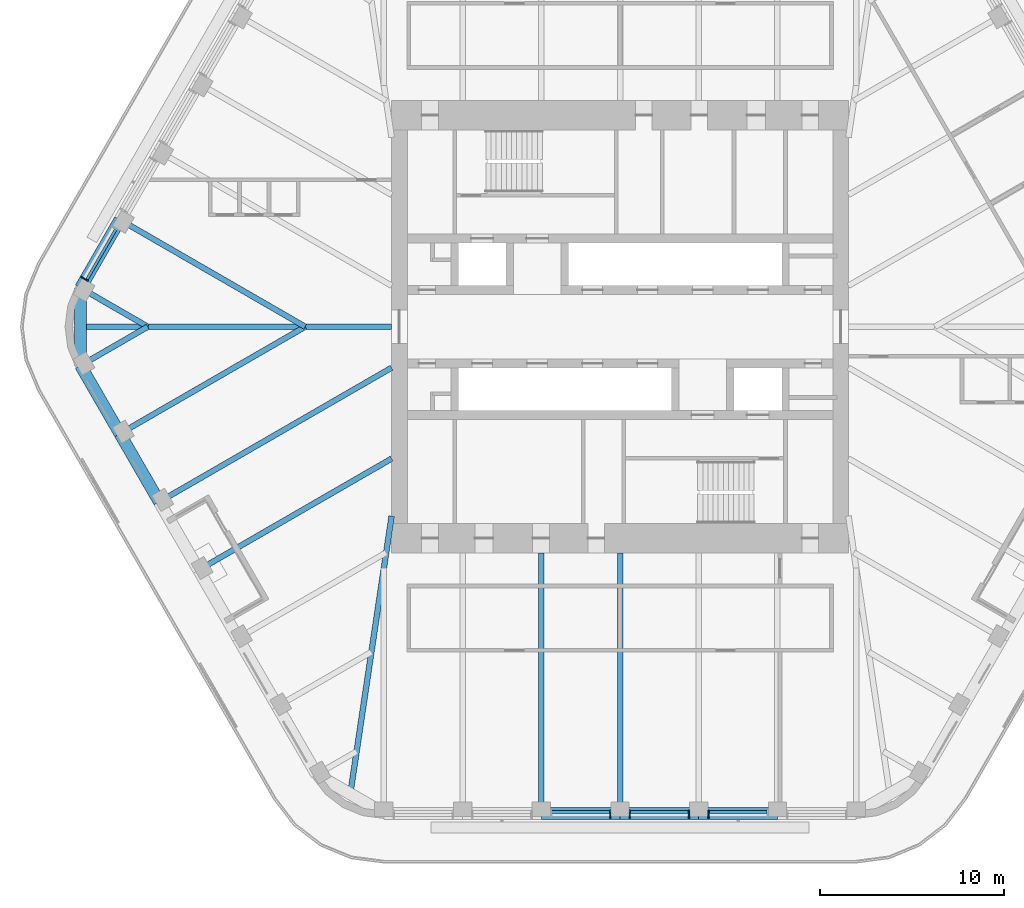
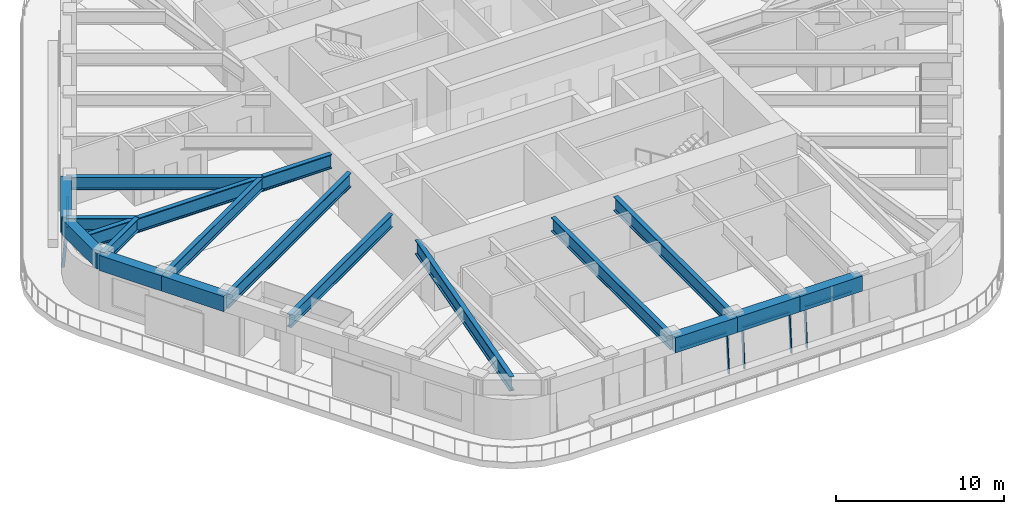
# One storey, part 3 of 19: 17 beams, 9 members, 4 elements without a shape of their own.
"""IFC4 building model written with IfcOpenShell, lengths in metres."""

from ifc_helpers import new_model, si_unit, direction, frame, origin, origin_2d, place, context, subcontext, project, spatial, rectangle, i_section, extrude, material, material_profile, profile_set, type_object, element, aggregate, save


model = new_model("IFC4")

# Units and contexts
model_context = context("Model", 3, precision=1e-05, world=origin(), true_north=direction((0.0, 1.0)))
body_context = subcontext(model_context, "Body", "Model", "MODEL_VIEW")
ifc_project = project(units=[si_unit("LENGTHUNIT", "METRE"), si_unit("AREAUNIT", "SQUARE_METRE"), si_unit("VOLUMEUNIT", "CUBIC_METRE"), si_unit("PLANEANGLEUNIT", "RADIAN"), si_unit("MASSUNIT", "GRAM", prefix="KILO")], contexts=[model_context])

# Site, building, storey
site_placement = place(None, origin())
site = spatial("IfcSite", under=ifc_project, at=site_placement, CompositionType="ELEMENT")
building_placement = place(site_placement, origin())
building = spatial("IfcBuilding", under=site, at=building_placement, Name="Tarfa Lantern Tower", CompositionType="ELEMENT")
storey_placement = place(building_placement, frame((0.0, 0.0, 345.10009765625)))
storey = spatial("IfcBuildingStorey", under=building, at=storey_placement, Name="L78", CompositionType="ELEMENT", Elevation=345.10009765625)

# Curtain wall, member
ifc_material_1 = material(Name="Aluminium framed curtain wall", Category="aluminium")
curtain_wall_type = type_object("IfcCurtainWallType", Name="CW4 CANTED GLAZING EXECUTIVE ZONE 2900", PredefinedType="USERDEFINED", material=ifc_material_1)
curtain_wall_1_placement = place(storey_placement, origin())
curtain_wall_1 = element("IfcCurtainWall", 1, at=curtain_wall_1_placement, inside=storey, type_object=curtain_wall_type, Name="CW4 NW L78", ObjectType="CURTAIN WALL", PredefinedType="USERDEFINED")
ifc_material_2 = material(Name="Aluminium mullion", Category="aluminium")
ifc_material_profile_1 = material_profile(ifc_material_2, rectangle(XDim=0.06494140625, YDim=0.199951171875, at=origin_2d()), Name="AL MULLION 65x200")
ifc_profile_set_1 = profile_set([ifc_material_profile_1], Name="Aluminium mullion")
member_type_1 = type_object("IfcMemberType", Name="CWM1 MULLION 65x200", PredefinedType="MULLION", material=ifc_profile_set_1)
member_1_placement = place(storey_placement, frame((-29.236328125, 2.6611328125, 0.0), z_axis=(0.074399820079, -0.042945555672, 0.996303340364), x_axis=(0.499919672301, 0.866071776036, 0.0)))
member_1 = element("IfcMember", 2, at=member_1_placement, type_object=member_type_1, Name="CW4 mullion 2", PredefinedType="MULLION", context=body_context, shape_type="SweptSolid", body=[
    extrude(rectangle(XDim=0.06494140625, YDim=0.199951171875, at=origin_2d()), origin(), (0.0, 0.0, 1.0), 2.91064453125),
])

curtain_wall_2_placement = place(storey_placement, origin())
curtain_wall_2 = element("IfcCurtainWall", 3, at=curtain_wall_2_placement, inside=storey, type_object=curtain_wall_type, Name="CW4 S L78", ObjectType="CURTAIN WALL", PredefinedType="USERDEFINED")
member_2_placement = place(storey_placement, frame((-0.532470703125, -26.64990234375, 0.0), z_axis=(0.0, 0.085891213166, 0.99630452147), x_axis=(-1.0, 0.0, 0.0)))
member_2 = element("IfcMember", 4, at=member_2_placement, type_object=member_type_1, Name="CW4 mullion 2", PredefinedType="MULLION", context=body_context, shape_type="SweptSolid", body=[
    extrude(rectangle(XDim=0.06494140625, YDim=0.199951171875, at=origin_2d()), origin(), (0.0, 0.0, 1.0), 2.91064453125),
])

# Curtain wall, members
curtain_wall_3_placement = place(storey_placement, origin())
curtain_wall_3 = element("IfcCurtainWall", 5, at=curtain_wall_3_placement, inside=storey, type_object=curtain_wall_type, Name="CW4 S L78", ObjectType="CURTAIN WALL", PredefinedType="USERDEFINED")
member_3_placement = place(storey_placement, frame((0.532470703125, -26.64990234375, 0.0), z_axis=(0.0, 0.085891213166, 0.99630452147), x_axis=(-1.0, 0.0, 0.0)))
member_3 = element("IfcMember", 6, at=member_3_placement, type_object=member_type_1, Name="CW4 mullion 1", PredefinedType="MULLION", context=body_context, shape_type="SweptSolid", body=[
    extrude(rectangle(XDim=0.06494140625, YDim=0.199951171875, at=origin_2d()), origin(), (0.0, 0.0, 1.0), 2.91064453125),
])
member_4_placement = place(storey_placement, frame((3.74951171875, -26.64990234375, 0.0), z_axis=(0.0, 0.085891213166, 0.99630452147), x_axis=(-1.0, 0.0, 0.0)))
member_4 = element("IfcMember", 7, at=member_4_placement, type_object=member_type_1, Name="CW4 mullion 2", PredefinedType="MULLION", context=body_context, shape_type="SweptSolid", body=[
    extrude(rectangle(XDim=0.06494140625, YDim=0.199951171875, at=origin_2d()), origin(), (0.0, 0.0, 1.0), 2.91064453125),
])

# Curtain wall, member
curtain_wall_4_placement = place(storey_placement, origin())
curtain_wall_4 = element("IfcCurtainWall", 8, at=curtain_wall_4_placement, inside=storey, type_object=curtain_wall_type, Name="CW4 S L78", ObjectType="CURTAIN WALL", PredefinedType="USERDEFINED")
member_5_placement = place(storey_placement, frame((4.814453125, -26.64990234375, 0.0), z_axis=(0.0, 0.085891213166, 0.99630452147), x_axis=(-1.0, 0.0, 0.0)))
member_5 = element("IfcMember", 9, at=member_5_placement, type_object=member_type_1, Name="CW4 mullion 1", PredefinedType="MULLION", context=body_context, shape_type="SweptSolid", body=[
    extrude(rectangle(XDim=0.06494140625, YDim=0.199951171875, at=origin_2d()), origin(), (0.0, 0.0, 1.0), 2.91064453125),
])

# Member
ifc_material_3 = material(Name="Aluminium transom", Category="aluminium")
ifc_material_profile_2 = material_profile(ifc_material_3, rectangle(XDim=0.14990234375, YDim=0.06494140625, at=origin_2d()), Name="AL TRANSOM 150x65")
ifc_profile_set_2 = profile_set([ifc_material_profile_2], Name="Aluminium transom")
member_type_2 = type_object("IfcMemberType", Name="CWT1 TRANSOM 150x65", PredefinedType="USERDEFINED", material=ifc_profile_set_2)
member_6_placement = place(storey_placement, frame((-27.429931640625, 5.29541015625, 2.867431640625), z_axis=(-0.500037562771, -0.866003715822, 0.0), x_axis=(0.866003715822, -0.500037562771, 0.0)))
member_6 = element("IfcMember", 10, at=member_6_placement, type_object=member_type_2, Name="CW4 transom 1.2", ObjectType="TRANSOM", PredefinedType="USERDEFINED", context=body_context, shape_type="SweptSolid", body=[
    extrude(rectangle(XDim=0.14990234375, YDim=0.06494140625, at=origin_2d()), origin(), (0.0, 0.0, 1.0), 3.152099609375),
])

aggregate(curtain_wall_1, [member_1, member_6])

member_7_placement = place(storey_placement, frame((-3.717041015625, -26.40283203125, 2.867431640625), z_axis=(1.0, 0.0, 0.0), x_axis=(0.0, 1.0, 0.0)))
member_7 = element("IfcMember", 11, at=member_7_placement, type_object=member_type_2, Name="CW4 transom 1.2", ObjectType="TRANSOM", PredefinedType="USERDEFINED", context=body_context, shape_type="SweptSolid", body=[
    extrude(rectangle(XDim=0.14990234375, YDim=0.06494140625, at=origin_2d()), origin(), (0.0, 0.0, 1.0), 3.152099609375),
])

aggregate(curtain_wall_2, [member_2, member_7])

member_8_placement = place(storey_placement, frame((0.56494140625, -26.40283203125, 2.867431640625), z_axis=(1.0, 0.0, 0.0), x_axis=(0.0, 1.0, 0.0)))
member_8 = element("IfcMember", 12, at=member_8_placement, type_object=member_type_2, Name="CW4 transom 1.2", ObjectType="TRANSOM", PredefinedType="USERDEFINED", context=body_context, shape_type="SweptSolid", body=[
    extrude(rectangle(XDim=0.14990234375, YDim=0.06494140625, at=origin_2d()), origin(), (0.0, 0.0, 1.0), 3.152099609375),
])

aggregate(curtain_wall_3, [member_3, member_4, member_8])

member_9_placement = place(storey_placement, frame((4.846923828125, -26.40283203125, 2.867431640625), z_axis=(1.0, 0.0, 0.0), x_axis=(0.0, 1.0, 0.0)))
member_9 = element("IfcMember", 13, at=member_9_placement, type_object=member_type_2, Name="CW4 transom 1.2", ObjectType="TRANSOM", PredefinedType="USERDEFINED", context=body_context, shape_type="SweptSolid", body=[
    extrude(rectangle(XDim=0.14990234375, YDim=0.06494140625, at=origin_2d()), origin(), (0.0, 0.0, 1.0), 3.152099609375),
])

aggregate(curtain_wall_4, [member_5, member_9])

# Beams
ifc_material_4 = material(Name="Concrete C80/95", Category="concrete")
ifc_material_profile_3 = material_profile(ifc_material_4, rectangle(XDim=0.64990234375, YDim=1.10009765625, at=origin_2d()), Name="RC 650x1100")
ifc_profile_set_3 = profile_set([ifc_material_profile_3], Name="Concrete C80/95")
beam_type_1 = type_object("IfcBeamType", Name="EB4 RC 650x1100", PredefinedType="SPANDREL", material=ifc_profile_set_3)
beam_1_placement = place(storey_placement, frame((-27.205810546875, 5.818359375, 3.449951171875), z_axis=(-0.499984039138, -0.866034618596, 0.0), x_axis=(0.866034618596, -0.499984039138, 0.0)))
element("IfcBeam", 14, at=beam_1_placement, inside=storey, type_object=beam_type_1, Name="Edge beam NW5", PredefinedType="SPANDREL", context=body_context, shape_type="SweptSolid", body=[
    extrude(rectangle(XDim=0.64990234375, YDim=1.10009765625, at=origin_2d()), origin(), (0.0, 0.0, 1.0), 4.281982421875),
])
beam_2_placement = place(storey_placement, frame((-29.3466796875, 2.110107421875, 3.449951171875), z_axis=(0.0, -1.0, 0.0), x_axis=(1.0, 0.0, 0.0)))
element("IfcBeam", 15, at=beam_2_placement, inside=storey, type_object=beam_type_1, Name="Edge beam NW6", PredefinedType="SPANDREL", context=body_context, shape_type="SweptSolid", body=[
    extrude(rectangle(XDim=0.64990234375, YDim=1.10009765625, at=origin_2d()), origin(), (0.0, 0.0, 1.0), 4.22021484375),
])
for number, where, z_axis, x_axis, name in (
    (16, (-29.3466796875, -2.110107421875, 3.449951171875), (0.499984039138, -0.866034618596, 0.0), (0.866034618596, 0.499984039138, 0.0), "Edge beam SW0"),
    (17, (-27.205810546875, -5.818359375, 3.449951171875), (0.500026801138, -0.866009929587, 0.0), (0.866009929587, 0.500026801138, 0.0), "Edge beam SW1"),
    (18, (-4.281982421875, -26.469970703125, 3.449951171875), (1.0, 0.0, 0.0), (0.0, 1.0, 0.0), "Edge beam S2"),
    (19, (0.0, -26.469970703125, 3.449951171875), (1.0, 0.0, 0.0), (0.0, 1.0, 0.0), "Edge beam S3"),
    (20, (4.281982421875, -26.469970703125, 3.449951171875), (1.0, 0.0, 0.0), (0.0, 1.0, 0.0), "Edge beam S4"),
):
    element("IfcBeam", number, at=place(storey_placement, frame(where, z_axis=z_axis, x_axis=x_axis)), inside=storey, type_object=beam_type_1, Name=name, PredefinedType="SPANDREL", context=body_context, shape_type="SweptSolid", body=[
        extrude(rectangle(XDim=0.64990234375, YDim=1.10009765625, at=origin_2d()), origin(), (0.0, 0.0, 1.0), 4.281982421875),
    ])
ifc_material_5 = material(Name="Steel S460M", Category="steel")
ifc_material_profile_4 = material_profile(ifc_material_5, i_section(OverallWidth=0.302001953125, OverallDepth=1.008056640625, WebThickness=0.02099609375, FlangeThickness=0.0400390625, FilletRadius=0.030029296875, at=origin_2d()), Name="UB1016x305x349")
ifc_profile_set_4 = profile_set([ifc_material_profile_4], Name="Steel S460M")
beam_type_2 = type_object("IfcBeamType", Name="UB1016x305x349", PredefinedType="BEAM", material=ifc_profile_set_4)
beam_3_placement = place(storey_placement, frame((-25.064697265625, -9.526611328125, 3.495849609375), z_axis=(0.866029591389, 0.499992746786, 0.0), x_axis=(-0.499992746786, 0.866029591389, 0.0)))
element("IfcBeam", 21, at=beam_3_placement, inside=storey, type_object=beam_type_2, Name="Floor beam SW2", PredefinedType="BEAM", context=body_context, shape_type="SweptSolid", body=[
    extrude(i_section(OverallWidth=0.302001953125, OverallDepth=1.008056640625, WebThickness=0.02099609375, FlangeThickness=0.0400390625, FilletRadius=0.030029296875, at=origin_2d()), origin(), (0.0, 0.0, 1.0), 14.594970703125),
])
for number, where, z_axis, x_axis, name in (
    (22, (-4.281982421875, -26.469970703125, 3.495849609375), (0.0, 1.0, 0.0), (-1.0, 0.0, 0.0), "Floor beam S2"),
    (23, (0.0, -26.469970703125, 3.495849609375), (0.0, 1.0, 0.0), (-1.0, 0.0, 0.0), "Floor beam S3"),
):
    element("IfcBeam", number, at=place(storey_placement, frame(where, z_axis=z_axis, x_axis=x_axis)), inside=storey, type_object=beam_type_2, Name=name, PredefinedType="BEAM", context=body_context, shape_type="SweptSolid", body=[
        extrude(i_section(OverallWidth=0.302001953125, OverallDepth=1.008056640625, WebThickness=0.02099609375, FlangeThickness=0.0400390625, FilletRadius=0.030029296875, at=origin_2d()), origin(), (0.0, 0.0, 1.0), 14.169921875),
    ])
ifc_material_profile_5 = material_profile(ifc_material_5, i_section(OverallWidth=0.30859375, OverallDepth=1.036376953125, WebThickness=0.030029296875, FlangeThickness=0.05419921875, FilletRadius=0.030029296875, at=origin_2d()), Name="UB1016x305x487")
ifc_profile_set_5 = profile_set([ifc_material_profile_5], Name="Steel S460M")
beam_type_3 = type_object("IfcBeamType", Name="UB1016x305x487", PredefinedType="BEAM", material=ifc_profile_set_5)
beam_4_placement = place(storey_placement, frame((-12.425048828125, 0.0, 3.481689453125), z_axis=(-1.0, 0.0, 0.0), x_axis=(0.0, -1.0, 0.0)))
element("IfcBeam", 24, at=beam_4_placement, inside=storey, type_object=beam_type_3, Name="Hip girder W", PredefinedType="BEAM", context=body_context, shape_type="SweptSolid", body=[
    extrude(i_section(OverallWidth=0.30859375, OverallDepth=1.036376953125, WebThickness=0.030029296875, FlangeThickness=0.05419921875, FilletRadius=0.030029296875, at=origin_2d()), origin(), (0.0, 0.0, 1.0), 16.921630859375),
])
beam_5_placement = place(storey_placement, frame((-12.425048828125, -10.300048828125, 3.481689453125), z_axis=(-0.147127069073, -0.989117599452, 0.0), x_axis=(0.989117599452, -0.147127069073, 0.0)))
element("IfcBeam", 25, at=beam_5_placement, inside=storey, type_object=beam_type_3, Name="Hip girder SW", PredefinedType="BEAM", context=body_context, shape_type="SweptSolid", body=[
    extrude(i_section(OverallWidth=0.30859375, OverallDepth=1.036376953125, WebThickness=0.030029296875, FlangeThickness=0.05419921875, FilletRadius=0.030029296875, at=origin_2d()), origin(), (0.0, 0.0, 1.0), 15.28125),
])
ifc_material_profile_6 = material_profile(ifc_material_5, i_section(OverallWidth=0.305419921875, OverallDepth=0.91845703125, WebThickness=0.017333984375, FlangeThickness=0.02783203125, FilletRadius=0.01904296875, at=origin_2d()), Name="UB914x305x253")
ifc_profile_set_6 = profile_set([ifc_material_profile_6], Name="Steel S460M")
beam_type_4 = type_object("IfcBeamType", Name="UB914x305x253", PredefinedType="BEAM", material=ifc_profile_set_6)
beam_6_placement = place(storey_placement, frame((-27.205810546875, 5.818359375, 3.540771484375), z_axis=(0.866024171998, -0.500002133511, 0.0), x_axis=(0.500002133511, 0.866024171998, 0.0)))
element("IfcBeam", 26, at=beam_6_placement, inside=storey, type_object=beam_type_4, Name="Floor beam NW5", PredefinedType="BEAM", context=body_context, shape_type="SweptSolid", body=[
    extrude(i_section(OverallWidth=0.305419921875, OverallDepth=0.91845703125, WebThickness=0.017333984375, FlangeThickness=0.02783203125, FilletRadius=0.01904296875, at=origin_2d()), origin(), (0.0, 0.0, 1.0), 11.63671875),
])
for number, where, z_axis, x_axis, name in (
    (27, (-29.3466796875, 2.110107421875, 3.540771484375), (0.866009274789, -0.500027935199, 0.0), (0.500027935199, 0.866009274789, 0.0), "Floor beam NW6"),
    (28, (-29.3466796875, -2.110107421875, 3.540771484375), (0.866009274789, 0.500027935199, 0.0), (-0.500027935199, 0.866009274789, 0.0), "Floor beam SW0"),
):
    element("IfcBeam", number, at=place(storey_placement, frame(where, z_axis=z_axis, x_axis=x_axis)), inside=storey, type_object=beam_type_4, Name=name, PredefinedType="BEAM", context=body_context, shape_type="SweptSolid", body=[
        extrude(i_section(OverallWidth=0.305419921875, OverallDepth=0.91845703125, WebThickness=0.017333984375, FlangeThickness=0.02783203125, FilletRadius=0.01904296875, at=origin_2d()), origin(), (0.0, 0.0, 1.0), 4.219970703125),
    ])
beam_7_placement = place(storey_placement, frame((-27.205810546875, -5.818359375, 3.540771484375), z_axis=(0.866024171998, 0.500002133511, 0.0), x_axis=(-0.500002133511, 0.866024171998, 0.0)))
element("IfcBeam", 29, at=beam_7_placement, inside=storey, type_object=beam_type_4, Name="Floor beam SW1", PredefinedType="BEAM", context=body_context, shape_type="SweptSolid", body=[
    extrude(i_section(OverallWidth=0.305419921875, OverallDepth=0.91845703125, WebThickness=0.017333984375, FlangeThickness=0.02783203125, FilletRadius=0.01904296875, at=origin_2d()), origin(), (0.0, 0.0, 1.0), 11.63671875),
])
beam_8_placement = place(storey_placement, frame((-22.923583984375, -13.235107421875, 3.540771484375), z_axis=(0.86601856927, 0.500011837539, 0.0), x_axis=(-0.500011837539, 0.86601856927, 0.0)))
element("IfcBeam", 30, at=beam_8_placement, inside=storey, type_object=beam_type_4, Name="Floor beam SW3", PredefinedType="BEAM", context=body_context, shape_type="SweptSolid", body=[
    extrude(i_section(OverallWidth=0.305419921875, OverallDepth=0.91845703125, WebThickness=0.017333984375, FlangeThickness=0.02783203125, FilletRadius=0.01904296875, at=origin_2d()), origin(), (0.0, 0.0, 1.0), 12.122802734375),
])

save(model, "model.ifc")
